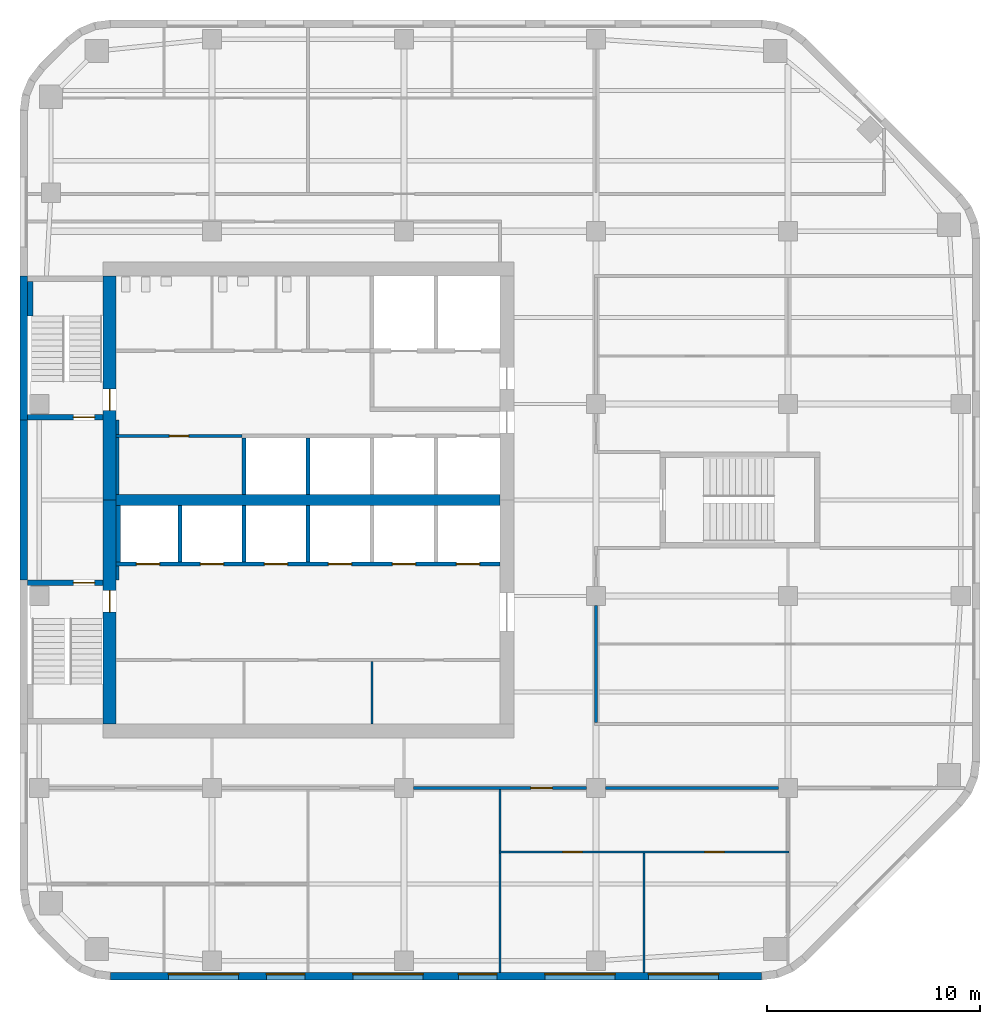
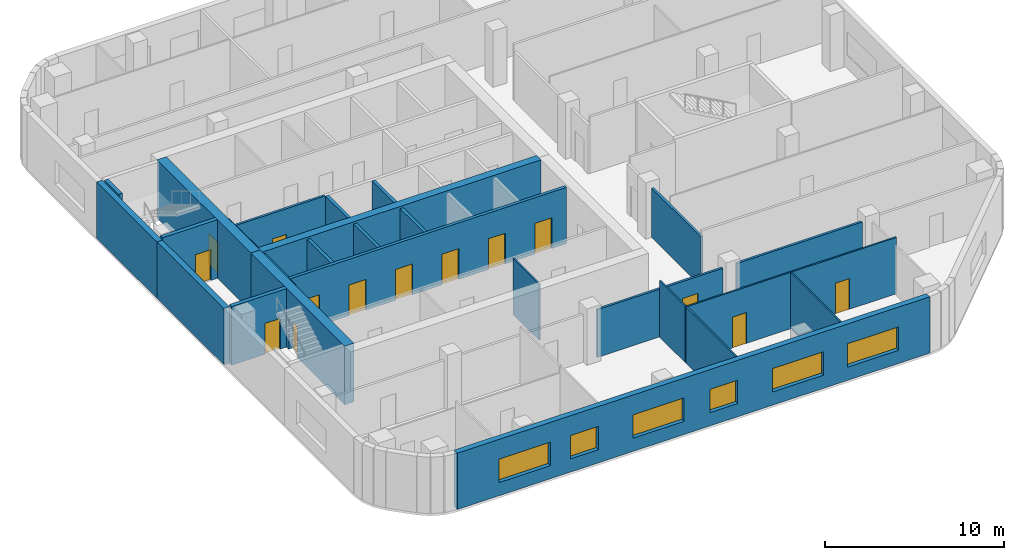
# One storey, part 3 of 8: 28 walls, 14 doors, 6 windows, 20 openings.
"""IFC4 building model written with IfcOpenShell, lengths in metres."""

from ifc_helpers import new_model, si_unit, direction, frame, frame_2d, origin, place, context, subcontext, project, spatial, rectangle, extrude, material, layer, layer_set, type_object, element, fill, save


model = new_model("IFC4")

# Units and contexts
model_context = context("Model", 3, precision=1e-05, world=origin(), true_north=direction((0.0, 1.0)))
body_context = subcontext(model_context, "Body", "Model", "MODEL_VIEW")
ifc_project = project(units=[si_unit("LENGTHUNIT", "METRE"), si_unit("AREAUNIT", "SQUARE_METRE"), si_unit("VOLUMEUNIT", "CUBIC_METRE"), si_unit("PLANEANGLEUNIT", "RADIAN"), si_unit("MASSUNIT", "GRAM", prefix="KILO")], contexts=[model_context])

# Site, building, storey
site_placement = place(None, origin())
site = spatial("IfcSite", under=ifc_project, at=site_placement, CompositionType="ELEMENT")
building_placement = place(site_placement, origin())
building = spatial("IfcBuilding", under=site, at=building_placement, Name="Cinnabar Reach Civic Tower", CompositionType="ELEMENT")
storey_placement = place(building_placement, frame((0.0, 0.0, 157.0)))
storey = spatial("IfcBuildingStorey", under=building, at=storey_placement, Name="L37", CompositionType="ELEMENT", Elevation=157.0)

# Wall, openings, windows
ifc_material_1 = material(Name="Facing brick with insulated backing", Category="masonry")
ifc_layer_1 = layer(ifc_material_1, 0.36)
ifc_layer_set_1 = layer_set([ifc_layer_1], Name="Brick pier and spandrel wall")
wall_type_1 = type_object("IfcWallType", Name="Brick pier and spandrel wall", PredefinedType="STANDARD", material=ifc_layer_set_1)
wall_1_placement = place(storey_placement, frame((4.2426, 9.18, 0.0), z_axis=(0.0, 0.0, 1.0), x_axis=(1.0, 0.0, 0.0)))
wall_1 = element("IfcWall", 1, at=wall_1_placement, inside=storey, type_object=wall_type_1, Name="Brick facade wall", PredefinedType="STANDARD", context=body_context, shape_type="SweptSolid", body=[
    extrude(rectangle(XDim=30.5148, YDim=0.36, at=frame_2d((15.2574, 0.0))), origin(), (0.0, 0.0, 1.0), 3.85),
])
opening_1_placement = place(wall_1_placement, frame((2.7074, 0.0, 0.9)))
opening_1 = element("IfcOpeningElement", 2, at=opening_1_placement, cuts=wall_1, Name="Opening W1761", PredefinedType="OPENING", context=body_context, shape_type="SweptSolid", body=[
    extrude(rectangle(XDim=3.3, YDim=1.6, at=frame_2d((1.65, 0.8))), frame((0.0, 0.19, 0.0), z_axis=(0.0, -1.0, 0.0), x_axis=(1.0, 0.0, 0.0)), (0.0, 0.0, 1.0), 0.38),
])
opening_2_placement = place(wall_1_placement, frame((7.3074, 0.0, 0.9)))
opening_2 = element("IfcOpeningElement", 3, at=opening_2_placement, cuts=wall_1, Name="Opening W1762", PredefinedType="OPENING", context=body_context, shape_type="SweptSolid", body=[
    extrude(rectangle(XDim=1.8, YDim=1.6, at=frame_2d((0.9, 0.8))), frame((0.0, 0.19, 0.0), z_axis=(0.0, -1.0, 0.0), x_axis=(1.0, 0.0, 0.0)), (0.0, 0.0, 1.0), 0.38),
])
opening_3_placement = place(wall_1_placement, frame((11.3574, 0.0, 0.9)))
opening_3 = element("IfcOpeningElement", 4, at=opening_3_placement, cuts=wall_1, Name="Opening W1763", PredefinedType="OPENING", context=body_context, shape_type="SweptSolid", body=[
    extrude(rectangle(XDim=3.3, YDim=1.6, at=frame_2d((1.65, 0.8))), frame((0.0, 0.19, 0.0), z_axis=(0.0, -1.0, 0.0), x_axis=(1.0, 0.0, 0.0)), (0.0, 0.0, 1.0), 0.38),
])
opening_4_placement = place(wall_1_placement, frame((16.3074, 0.0, 0.9)))
opening_4 = element("IfcOpeningElement", 5, at=opening_4_placement, cuts=wall_1, Name="Opening W1764", PredefinedType="OPENING", context=body_context, shape_type="SweptSolid", body=[
    extrude(rectangle(XDim=1.8, YDim=1.6, at=frame_2d((0.9, 0.8))), frame((0.0, 0.19, 0.0), z_axis=(0.0, -1.0, 0.0), x_axis=(1.0, 0.0, 0.0)), (0.0, 0.0, 1.0), 0.38),
])
opening_5_placement = place(wall_1_placement, frame((20.3574, 0.0, 0.9)))
opening_5 = element("IfcOpeningElement", 6, at=opening_5_placement, cuts=wall_1, Name="Opening W1765", PredefinedType="OPENING", context=body_context, shape_type="SweptSolid", body=[
    extrude(rectangle(XDim=3.3, YDim=1.6, at=frame_2d((1.65, 0.8))), frame((0.0, 0.19, 0.0), z_axis=(0.0, -1.0, 0.0), x_axis=(1.0, 0.0, 0.0)), (0.0, 0.0, 1.0), 0.38),
])
opening_6_placement = place(wall_1_placement, frame((25.2074, 0.0, 0.9)))
opening_6 = element("IfcOpeningElement", 7, at=opening_6_placement, cuts=wall_1, Name="Opening W1766", PredefinedType="OPENING", context=body_context, shape_type="SweptSolid", body=[
    extrude(rectangle(XDim=3.3, YDim=1.6, at=frame_2d((1.65, 0.8))), frame((0.0, 0.19, 0.0), z_axis=(0.0, -1.0, 0.0), x_axis=(1.0, 0.0, 0.0)), (0.0, 0.0, 1.0), 0.38),
])
ifc_material_2 = material(Name="Clear double glazing in aluminium frame", Category="aluminium")
window_type_1 = type_object("IfcWindowType", Name="Deep-set window A", PartitioningType="SINGLE_PANEL", PredefinedType="WINDOW", material=ifc_material_2)
window_1_placement = place(opening_1_placement, origin())
window_1 = element("IfcWindow", 8, at=window_1_placement, inside=storey, type_object=window_type_1, Name="Window south face", OverallHeight=1.6, OverallWidth=3.3, PartitioningType="SINGLE_PANEL", PredefinedType="WINDOW", context=body_context, shape_type="SweptSolid", body=[
    extrude(rectangle(XDim=3.3, YDim=1.6, at=frame_2d((1.65, 0.8))), frame((0.0, 0.13, 0.0), z_axis=(0.0, -1.0, 0.0), x_axis=(1.0, 0.0, 0.0)), (0.0, 0.0, 1.0), 0.06),
])
fill(opening_1, window_1)
window_2_placement = place(opening_3_placement, origin())
window_2 = element("IfcWindow", 9, at=window_2_placement, inside=storey, type_object=window_type_1, Name="Window south face", OverallHeight=1.6, OverallWidth=3.3, PartitioningType="SINGLE_PANEL", PredefinedType="WINDOW", context=body_context, shape_type="SweptSolid", body=[
    extrude(rectangle(XDim=3.3, YDim=1.6, at=frame_2d((1.65, 0.8))), frame((0.0, 0.13, 0.0), z_axis=(0.0, -1.0, 0.0), x_axis=(1.0, 0.0, 0.0)), (0.0, 0.0, 1.0), 0.06),
])
fill(opening_3, window_2)
window_3_placement = place(opening_5_placement, origin())
window_3 = element("IfcWindow", 10, at=window_3_placement, inside=storey, type_object=window_type_1, Name="Window south face", OverallHeight=1.6, OverallWidth=3.3, PartitioningType="SINGLE_PANEL", PredefinedType="WINDOW", context=body_context, shape_type="SweptSolid", body=[
    extrude(rectangle(XDim=3.3, YDim=1.6, at=frame_2d((1.65, 0.8))), frame((0.0, 0.13, 0.0), z_axis=(0.0, -1.0, 0.0), x_axis=(1.0, 0.0, 0.0)), (0.0, 0.0, 1.0), 0.06),
])
fill(opening_5, window_3)
window_4_placement = place(opening_6_placement, origin())
window_4 = element("IfcWindow", 11, at=window_4_placement, inside=storey, type_object=window_type_1, Name="Window south face", OverallHeight=1.6, OverallWidth=3.3, PartitioningType="SINGLE_PANEL", PredefinedType="WINDOW", context=body_context, shape_type="SweptSolid", body=[
    extrude(rectangle(XDim=3.3, YDim=1.6, at=frame_2d((1.65, 0.8))), frame((0.0, 0.13, 0.0), z_axis=(0.0, -1.0, 0.0), x_axis=(1.0, 0.0, 0.0)), (0.0, 0.0, 1.0), 0.06),
])
fill(opening_6, window_4)
window_type_2 = type_object("IfcWindowType", Name="Deep-set window D", PartitioningType="SINGLE_PANEL", PredefinedType="WINDOW", material=ifc_material_2)
window_5_placement = place(opening_2_placement, origin())
window_5 = element("IfcWindow", 12, at=window_5_placement, inside=storey, type_object=window_type_2, Name="Window south face", OverallHeight=1.6, OverallWidth=1.8, PartitioningType="SINGLE_PANEL", PredefinedType="WINDOW", context=body_context, shape_type="SweptSolid", body=[
    extrude(rectangle(XDim=1.8, YDim=1.6, at=frame_2d((0.9, 0.8))), frame((0.0, 0.13, 0.0), z_axis=(0.0, -1.0, 0.0), x_axis=(1.0, 0.0, 0.0)), (0.0, 0.0, 1.0), 0.06),
])
fill(opening_2, window_5)
window_6_placement = place(opening_4_placement, origin())
window_6 = element("IfcWindow", 13, at=window_6_placement, inside=storey, type_object=window_type_2, Name="Window south face", OverallHeight=1.6, OverallWidth=1.8, PartitioningType="SINGLE_PANEL", PredefinedType="WINDOW", context=body_context, shape_type="SweptSolid", body=[
    extrude(rectangle(XDim=1.8, YDim=1.6, at=frame_2d((0.9, 0.8))), frame((0.0, 0.13, 0.0), z_axis=(0.0, -1.0, 0.0), x_axis=(1.0, 0.0, 0.0)), (0.0, 0.0, 1.0), 0.06),
])
fill(opening_4, window_6)

# Walls
wall_2_placement = place(storey_placement, frame((0.18, 42.0, 0.0), z_axis=(0.0, 0.0, 1.0), x_axis=(0.0, -1.0, 0.0)))
element("IfcWall", 14, at=wall_2_placement, inside=storey, type_object=wall_type_1, Name="Brick facade wall", PredefinedType="STANDARD", context=body_context, shape_type="SweptSolid", body=[
    extrude(rectangle(XDim=6.75, YDim=0.36, at=frame_2d((3.375, 0.0))), origin(), (0.0, 0.0, 1.0), 3.85),
])
wall_3_placement = place(storey_placement, frame((0.18, 35.25, 0.0), z_axis=(0.0, 0.0, 1.0), x_axis=(0.0, -1.0, 0.0)))
element("IfcWall", 15, at=wall_3_placement, inside=storey, type_object=wall_type_1, Name="Brick facade wall", PredefinedType="STANDARD", context=body_context, shape_type="SweptSolid", body=[
    extrude(rectangle(XDim=7.5, YDim=0.36, at=frame_2d((3.75, 0.0))), origin(), (0.0, 0.0, 1.0), 3.85),
])
ifc_material_3 = material(Name="Concrete C60", Category="concrete")
ifc_layer_2 = layer(ifc_material_3, 0.5)
ifc_layer_set_2 = layer_set([ifc_layer_2], Name="Core wall 500 EI 180")
wall_type_2 = type_object("IfcWallType", Name="Core wall 500 EI 180", PredefinedType="SOLIDWALL", material=ifc_layer_set_2)
wall_4_placement = place(storey_placement, frame((4.5, 31.5, 0.0), z_axis=(0.0, 0.0, 1.0), x_axis=(1.0, 0.0, 0.0)))
element("IfcWall", 16, at=wall_4_placement, inside=storey, type_object=wall_type_2, Name="Core spine wall T1 L37", PredefinedType="SOLIDWALL", context=body_context, shape_type="SweptSolid", body=[
    extrude(rectangle(XDim=18.0, YDim=0.5, at=frame_2d((9.0, 0.0))), origin(), (0.0, 0.0, 1.0), 4.0),
])

# Wall, opening, door
ifc_material_4 = material(Name="Concrete C70", Category="concrete")
ifc_layer_3 = layer(ifc_material_4, 0.6)
ifc_layer_set_3 = layer_set([ifc_layer_3], Name="Core wall 600 EI 180")
wall_type_3 = type_object("IfcWallType", Name="Core wall 600 EI 180", PredefinedType="SOLIDWALL", material=ifc_layer_set_3)
wall_5_placement = place(storey_placement, frame((4.2, 42.0, 0.0), z_axis=(0.0, 0.0, 1.0), x_axis=(0.0, -1.0, 0.0)))
wall_5 = element("IfcWall", 17, at=wall_5_placement, inside=storey, type_object=wall_type_3, Name="Core wall T1 L37 W", PredefinedType="SOLIDWALL", context=body_context, shape_type="SweptSolid", body=[
    extrude(rectangle(XDim=10.5, YDim=0.6, at=frame_2d((5.25, 0.0))), origin(), (0.0, 0.0, 1.0), 4.0),
])
opening_7_placement = place(wall_5_placement, frame((5.3, 0.0, 0.0)))
opening_7 = element("IfcOpeningElement", 18, at=opening_7_placement, cuts=wall_5, Name="Opening D4498", PredefinedType="OPENING", context=body_context, shape_type="SweptSolid", body=[
    extrude(rectangle(XDim=1.0, YDim=2.1, at=frame_2d((0.5, 1.05))), frame((0.0, 0.31, 0.0), z_axis=(0.0, -1.0, 0.0), x_axis=(1.0, 0.0, 0.0)), (0.0, 0.0, 1.0), 0.62),
])
ifc_material_5 = material(Name="Timber door leaf in steel frame", Category="steel")
door_type_1 = type_object("IfcDoorType", Name="Stair door 1000 x 2100 T1", OperationType="SINGLE_SWING_LEFT", PredefinedType="DOOR", material=ifc_material_5)
door_1_placement = place(opening_7_placement, frame((1.0, 0.0, 0.0), z_axis=(0.0, 0.0, 1.0), x_axis=(-1.0, 0.0, 0.0)))
door_1 = element("IfcDoor", 19, at=door_1_placement, inside=storey, type_object=door_type_1, Name="Door D4498", OperationType="SINGLE_SWING_LEFT", OverallHeight=2.1, OverallWidth=1.0, PredefinedType="DOOR", context=body_context, shape_type="SweptSolid", body=[
    extrude(rectangle(XDim=1.0, YDim=2.1, at=frame_2d((0.5, 1.05))), frame((0.0, 0.025, 0.0), z_axis=(0.0, -1.0, 0.0), x_axis=(1.0, 0.0, 0.0)), (0.0, 0.0, 1.0), 0.05),
])
fill(opening_7, door_1)

wall_6_placement = place(storey_placement, frame((4.2, 31.5, 0.0), z_axis=(0.0, 0.0, 1.0), x_axis=(0.0, -1.0, 0.0)))
wall_6 = element("IfcWall", 20, at=wall_6_placement, inside=storey, type_object=wall_type_3, Name="Core wall T1 L37 W2", PredefinedType="SOLIDWALL", context=body_context, shape_type="SweptSolid", body=[
    extrude(rectangle(XDim=10.5, YDim=0.6, at=frame_2d((5.25, 0.0))), origin(), (0.0, 0.0, 1.0), 4.0),
])
opening_8_placement = place(wall_6_placement, frame((4.25, 0.0, 0.0)))
opening_8 = element("IfcOpeningElement", 21, at=opening_8_placement, cuts=wall_6, Name="Opening D4496", PredefinedType="OPENING", context=body_context, shape_type="SweptSolid", body=[
    extrude(rectangle(XDim=1.0, YDim=2.1, at=frame_2d((0.5, 1.05))), frame((0.0, 0.31, 0.0), z_axis=(0.0, -1.0, 0.0), x_axis=(1.0, 0.0, 0.0)), (0.0, 0.0, 1.0), 0.62),
])
door_2_placement = place(opening_8_placement, frame((1.0, 0.0, 0.0), z_axis=(0.0, 0.0, 1.0), x_axis=(-1.0, 0.0, 0.0)))
door_2 = element("IfcDoor", 22, at=door_2_placement, inside=storey, type_object=door_type_1, Name="Door D4496", OperationType="SINGLE_SWING_RIGHT", OverallHeight=2.1, OverallWidth=1.0, PredefinedType="DOOR", context=body_context, shape_type="SweptSolid", body=[
    extrude(rectangle(XDim=1.0, YDim=2.1, at=frame_2d((0.5, 1.05))), frame((0.0, 0.025, 0.0), z_axis=(0.0, -1.0, 0.0), x_axis=(1.0, 0.0, 0.0)), (0.0, 0.0, 1.0), 0.05),
])
fill(opening_8, door_2)

ifc_material_6 = material(Name="Gypsum board on steel studs, double layer", Category="steel")
ifc_layer_4 = layer(ifc_material_6, 0.15)
ifc_layer_set_4 = layer_set([ifc_layer_4], Name="Corridor wall 150 T1")
wall_type_4 = type_object("IfcWallType", Name="Corridor wall 150 T1", PredefinedType="PARTITIONING", material=ifc_layer_set_4)
wall_7_placement = place(storey_placement, frame((18.45, 18.0, 0.0), z_axis=(0.0, 0.0, 1.0), x_axis=(1.0, 0.0, 0.0)))
wall_7 = element("IfcWall", 23, at=wall_7_placement, inside=storey, type_object=wall_type_4, Name="Corridor wall 20", PredefinedType="PARTITIONING", context=body_context, shape_type="SweptSolid", body=[
    extrude(rectangle(XDim=8.1, YDim=0.15, at=frame_2d((4.05, 0.0))), origin(), (0.0, 0.0, 1.0), 3.262),
])
opening_9_placement = place(wall_7_placement, frame((5.5, 0.0, 0.0)))
opening_9 = element("IfcOpeningElement", 24, at=opening_9_placement, cuts=wall_7, Name="Opening D4531", PredefinedType="OPENING", context=body_context, shape_type="SweptSolid", body=[
    extrude(rectangle(XDim=1.0, YDim=2.1, at=frame_2d((0.5, 1.05))), frame((0.0, 0.085, 0.0), z_axis=(0.0, -1.0, 0.0), x_axis=(1.0, 0.0, 0.0)), (0.0, 0.0, 1.0), 0.17),
])
door_type_2 = type_object("IfcDoorType", Name="Tenancy entrance door 1000 x 2100 T1", OperationType="SINGLE_SWING_LEFT", PredefinedType="DOOR", material=ifc_material_5)
door_3_placement = place(opening_9_placement, frame((1.0, 0.0, 0.0), z_axis=(0.0, 0.0, 1.0), x_axis=(-1.0, 0.0, 0.0)))
door_3 = element("IfcDoor", 25, at=door_3_placement, inside=storey, type_object=door_type_2, Name="Door D4531", OperationType="SINGLE_SWING_RIGHT", OverallHeight=2.1, OverallWidth=1.0, PredefinedType="DOOR", context=body_context, shape_type="SweptSolid", body=[
    extrude(rectangle(XDim=1.0, YDim=2.1, at=frame_2d((0.5, 1.05))), frame((0.0, 0.025, 0.0), z_axis=(0.0, -1.0, 0.0), x_axis=(1.0, 0.0, 0.0)), (0.0, 0.0, 1.0), 0.05),
])
fill(opening_9, door_3)

# Walls
wall_8_placement = place(storey_placement, frame((27.45, 18.0, 0.0), z_axis=(0.0, 0.0, 1.0), x_axis=(1.0, 0.0, 0.0)))
element("IfcWall", 26, at=wall_8_placement, inside=storey, type_object=wall_type_4, Name="Corridor wall 21", PredefinedType="PARTITIONING", context=body_context, shape_type="SweptSolid", body=[
    extrude(rectangle(XDim=8.1, YDim=0.15, at=frame_2d((4.05, 0.0))), origin(), (0.0, 0.0, 1.0), 3.262),
])
wall_9_placement = place(storey_placement, frame((27.0, 21.075, 0.0), z_axis=(0.0, 0.0, 1.0), x_axis=(0.0, 1.0, 0.0)))
element("IfcWall", 27, at=wall_9_placement, inside=storey, type_object=wall_type_4, Name="Corridor wall 30", PredefinedType="PARTITIONING", context=body_context, shape_type="SweptSolid", body=[
    extrude(rectangle(XDim=5.475, YDim=0.15, at=frame_2d((2.7375, 0.0))), origin(), (0.0, 0.0, 1.0), 3.362),
])

# Wall, opening, door
wall_10_placement = place(storey_placement, frame((4.5, 34.5, 0.0), z_axis=(0.0, 0.0, 1.0), x_axis=(1.0, 0.0, 0.0)))
wall_10 = element("IfcWall", 28, at=wall_10_placement, inside=storey, type_object=wall_type_4, Name="Corridor wall 34", PredefinedType="PARTITIONING", context=body_context, shape_type="SweptSolid", body=[
    extrude(rectangle(XDim=5.9, YDim=0.15, at=frame_2d((2.95, 0.0))), origin(), (0.0, 0.0, 1.0), 3.85),
])
opening_10_placement = place(wall_10_placement, frame((2.5, 0.0, 0.0)))
opening_10 = element("IfcOpeningElement", 29, at=opening_10_placement, cuts=wall_10, Name="Opening D4517", PredefinedType="OPENING", context=body_context, shape_type="SweptSolid", body=[
    extrude(rectangle(XDim=0.9, YDim=2.1, at=frame_2d((0.45, 1.05))), frame((0.0, 0.085, 0.0), z_axis=(0.0, -1.0, 0.0), x_axis=(1.0, 0.0, 0.0)), (0.0, 0.0, 1.0), 0.17),
])
door_type_3 = type_object("IfcDoorType", Name="Single swing door 900 x 2100 corridor T1", OperationType="SINGLE_SWING_LEFT", PredefinedType="DOOR", material=ifc_material_5)
door_4_placement = place(opening_10_placement, frame((0.9, 0.0, 0.0), z_axis=(0.0, 0.0, 1.0), x_axis=(-1.0, 0.0, 0.0)))
door_4 = element("IfcDoor", 30, at=door_4_placement, inside=storey, type_object=door_type_3, Name="Door D4517", OperationType="SINGLE_SWING_RIGHT", OverallHeight=2.1, OverallWidth=0.9, PredefinedType="DOOR", context=body_context, shape_type="SweptSolid", body=[
    extrude(rectangle(XDim=0.9, YDim=2.1, at=frame_2d((0.45, 1.05))), frame((0.0, 0.025, 0.0), z_axis=(0.0, -1.0, 0.0), x_axis=(1.0, 0.0, 0.0)), (0.0, 0.0, 1.0), 0.05),
])
fill(opening_10, door_4)

# Walls
wall_11_placement = place(storey_placement, frame((4.575, 34.575, 0.0), z_axis=(0.0, 0.0, 1.0), x_axis=(0.0, 1.0, 0.0)))
element("IfcWall", 31, at=wall_11_placement, inside=storey, type_object=wall_type_4, Name="Corridor wall 35", PredefinedType="PARTITIONING", context=body_context, shape_type="SweptSolid", body=[
    extrude(rectangle(XDim=0.675, YDim=0.15, at=frame_2d((0.3375, 0.0))), origin(), (0.0, 0.0, 1.0), 3.85),
])
wall_12_placement = place(storey_placement, frame((4.575, 31.75, 0.0), z_axis=(0.0, 0.0, 1.0), x_axis=(0.0, 1.0, 0.0)))
element("IfcWall", 32, at=wall_12_placement, inside=storey, type_object=wall_type_4, Name="Corridor wall 36", PredefinedType="PARTITIONING", context=body_context, shape_type="SweptSolid", body=[
    extrude(rectangle(XDim=2.675, YDim=0.15, at=frame_2d((1.3375, 0.0))), origin(), (0.0, 0.0, 1.0), 3.85),
])
wall_13_placement = place(storey_placement, frame((4.575, 27.75, 0.0), z_axis=(0.0, 0.0, 1.0), x_axis=(0.0, 1.0, 0.0)))
element("IfcWall", 33, at=wall_13_placement, inside=storey, type_object=wall_type_4, Name="Corridor wall 41", PredefinedType="PARTITIONING", context=body_context, shape_type="SweptSolid", body=[
    extrude(rectangle(XDim=0.65, YDim=0.15, at=frame_2d((0.325, 0.0))), origin(), (0.0, 0.0, 1.0), 3.85),
])

# Wall, openings, doors
ifc_material_7 = material(Name="Blockwork", Category="masonry")
ifc_layer_5 = layer(ifc_material_7, 0.2)
ifc_layer_set_5 = layer_set([ifc_layer_5], Name="Lift shaft wall 200 T1")
wall_type_5 = type_object("IfcWallType", Name="Lift shaft wall 200 T1", PredefinedType="PARTITIONING", material=ifc_layer_set_5)
wall_14_placement = place(storey_placement, frame((4.5, 28.5, 0.0), z_axis=(0.0, 0.0, 1.0), x_axis=(1.0, 0.0, 0.0)))
wall_14 = element("IfcWall", 34, at=wall_14_placement, inside=storey, type_object=wall_type_5, Name="Lift shaft wall 4", PredefinedType="PARTITIONING", context=body_context, shape_type="SweptSolid", body=[
    extrude(rectangle(XDim=18.0, YDim=0.2, at=frame_2d((9.0, 0.0))), origin(), (0.0, 0.0, 1.0), 3.85),
])
opening_11_placement = place(wall_14_placement, frame((0.95, 0.0, 0.0)))
opening_11 = element("IfcOpeningElement", 35, at=opening_11_placement, cuts=wall_14, Name="Opening D4500", PredefinedType="OPENING", context=body_context, shape_type="SweptSolid", body=[
    extrude(rectangle(XDim=1.1, YDim=2.1, at=frame_2d((0.55, 1.05))), frame((0.0, 0.11, 0.0), z_axis=(0.0, -1.0, 0.0), x_axis=(1.0, 0.0, 0.0)), (0.0, 0.0, 1.0), 0.22),
])
opening_12_placement = place(wall_14_placement, frame((3.95, 0.0, 0.0)))
opening_12 = element("IfcOpeningElement", 36, at=opening_12_placement, cuts=wall_14, Name="Opening D4501", PredefinedType="OPENING", context=body_context, shape_type="SweptSolid", body=[
    extrude(rectangle(XDim=1.1, YDim=2.1, at=frame_2d((0.55, 1.05))), frame((0.0, 0.11, 0.0), z_axis=(0.0, -1.0, 0.0), x_axis=(1.0, 0.0, 0.0)), (0.0, 0.0, 1.0), 0.22),
])
opening_13_placement = place(wall_14_placement, frame((6.95, 0.0, 0.0)))
opening_13 = element("IfcOpeningElement", 37, at=opening_13_placement, cuts=wall_14, Name="Opening D4502", PredefinedType="OPENING", context=body_context, shape_type="SweptSolid", body=[
    extrude(rectangle(XDim=1.1, YDim=2.1, at=frame_2d((0.55, 1.05))), frame((0.0, 0.11, 0.0), z_axis=(0.0, -1.0, 0.0), x_axis=(1.0, 0.0, 0.0)), (0.0, 0.0, 1.0), 0.22),
])
opening_14_placement = place(wall_14_placement, frame((9.95, 0.0, 0.0)))
opening_14 = element("IfcOpeningElement", 38, at=opening_14_placement, cuts=wall_14, Name="Opening D4503", PredefinedType="OPENING", context=body_context, shape_type="SweptSolid", body=[
    extrude(rectangle(XDim=1.1, YDim=2.1, at=frame_2d((0.55, 1.05))), frame((0.0, 0.11, 0.0), z_axis=(0.0, -1.0, 0.0), x_axis=(1.0, 0.0, 0.0)), (0.0, 0.0, 1.0), 0.22),
])
opening_15_placement = place(wall_14_placement, frame((12.95, 0.0, 0.0)))
opening_15 = element("IfcOpeningElement", 39, at=opening_15_placement, cuts=wall_14, Name="Opening D4504", PredefinedType="OPENING", context=body_context, shape_type="SweptSolid", body=[
    extrude(rectangle(XDim=1.1, YDim=2.1, at=frame_2d((0.55, 1.05))), frame((0.0, 0.11, 0.0), z_axis=(0.0, -1.0, 0.0), x_axis=(1.0, 0.0, 0.0)), (0.0, 0.0, 1.0), 0.22),
])
opening_16_placement = place(wall_14_placement, frame((15.95, 0.0, 0.0)))
opening_16 = element("IfcOpeningElement", 40, at=opening_16_placement, cuts=wall_14, Name="Opening D4505", PredefinedType="OPENING", context=body_context, shape_type="SweptSolid", body=[
    extrude(rectangle(XDim=1.1, YDim=2.1, at=frame_2d((0.55, 1.05))), frame((0.0, 0.11, 0.0), z_axis=(0.0, -1.0, 0.0), x_axis=(1.0, 0.0, 0.0)), (0.0, 0.0, 1.0), 0.22),
])
ifc_material_8 = material(Name="Stainless steel sliding door", Category="steel")
door_type_4 = type_object("IfcDoorType", Name="Lift landing door 1100 x 2100 T1", OperationType="SLIDING_TO_LEFT", PredefinedType="DOOR", material=ifc_material_8)
door_5_placement = place(opening_11_placement, origin())
door_5 = element("IfcDoor", 41, at=door_5_placement, inside=storey, type_object=door_type_4, Name="Lift landing door HR1 L37", OperationType="SLIDING_TO_LEFT", OverallHeight=2.1, OverallWidth=1.1, PredefinedType="DOOR", context=body_context, shape_type="SweptSolid", body=[
    extrude(rectangle(XDim=1.1, YDim=2.1, at=frame_2d((0.55, 1.05))), frame((0.0, 0.025, 0.0), z_axis=(0.0, -1.0, 0.0), x_axis=(1.0, 0.0, 0.0)), (0.0, 0.0, 1.0), 0.05),
])
fill(opening_11, door_5)
door_6_placement = place(opening_12_placement, origin())
door_6 = element("IfcDoor", 42, at=door_6_placement, inside=storey, type_object=door_type_4, Name="Lift landing door HR2 L37", OperationType="SLIDING_TO_LEFT", OverallHeight=2.1, OverallWidth=1.1, PredefinedType="DOOR", context=body_context, shape_type="SweptSolid", body=[
    extrude(rectangle(XDim=1.1, YDim=2.1, at=frame_2d((0.55, 1.05))), frame((0.0, 0.025, 0.0), z_axis=(0.0, -1.0, 0.0), x_axis=(1.0, 0.0, 0.0)), (0.0, 0.0, 1.0), 0.05),
])
fill(opening_12, door_6)
door_7_placement = place(opening_13_placement, origin())
door_7 = element("IfcDoor", 43, at=door_7_placement, inside=storey, type_object=door_type_4, Name="Lift landing door HR3 L37", OperationType="SLIDING_TO_LEFT", OverallHeight=2.1, OverallWidth=1.1, PredefinedType="DOOR", context=body_context, shape_type="SweptSolid", body=[
    extrude(rectangle(XDim=1.1, YDim=2.1, at=frame_2d((0.55, 1.05))), frame((0.0, 0.025, 0.0), z_axis=(0.0, -1.0, 0.0), x_axis=(1.0, 0.0, 0.0)), (0.0, 0.0, 1.0), 0.05),
])
fill(opening_13, door_7)
door_8_placement = place(opening_14_placement, origin())
door_8 = element("IfcDoor", 44, at=door_8_placement, inside=storey, type_object=door_type_4, Name="Lift landing door HR4 L37", OperationType="SLIDING_TO_LEFT", OverallHeight=2.1, OverallWidth=1.1, PredefinedType="DOOR", context=body_context, shape_type="SweptSolid", body=[
    extrude(rectangle(XDim=1.1, YDim=2.1, at=frame_2d((0.55, 1.05))), frame((0.0, 0.025, 0.0), z_axis=(0.0, -1.0, 0.0), x_axis=(1.0, 0.0, 0.0)), (0.0, 0.0, 1.0), 0.05),
])
fill(opening_14, door_8)
door_9_placement = place(opening_15_placement, origin())
door_9 = element("IfcDoor", 45, at=door_9_placement, inside=storey, type_object=door_type_4, Name="Lift landing door HR5 L37", OperationType="SLIDING_TO_LEFT", OverallHeight=2.1, OverallWidth=1.1, PredefinedType="DOOR", context=body_context, shape_type="SweptSolid", body=[
    extrude(rectangle(XDim=1.1, YDim=2.1, at=frame_2d((0.55, 1.05))), frame((0.0, 0.025, 0.0), z_axis=(0.0, -1.0, 0.0), x_axis=(1.0, 0.0, 0.0)), (0.0, 0.0, 1.0), 0.05),
])
fill(opening_15, door_9)
door_10_placement = place(opening_16_placement, origin())
door_10 = element("IfcDoor", 46, at=door_10_placement, inside=storey, type_object=door_type_4, Name="Lift landing door HR6 L37", OperationType="SLIDING_TO_LEFT", OverallHeight=2.1, OverallWidth=1.1, PredefinedType="DOOR", context=body_context, shape_type="SweptSolid", body=[
    extrude(rectangle(XDim=1.1, YDim=2.1, at=frame_2d((0.55, 1.05))), frame((0.0, 0.025, 0.0), z_axis=(0.0, -1.0, 0.0), x_axis=(1.0, 0.0, 0.0)), (0.0, 0.0, 1.0), 0.05),
])
fill(opening_16, door_10)

# Walls
for number, where, z_axis, x_axis, name in (
    (47, (10.5, 28.6, 0.0), (0.0, 0.0, 1.0), (0.0, 1.0, 0.0), "Lift shaft wall 6"),
    (48, (10.5, 31.75, 0.0), (0.0, 0.0, 1.0), (0.0, 1.0, 0.0), "Lift shaft wall 7"),
    (49, (13.5, 28.6, 0.0), (0.0, 0.0, 1.0), (0.0, 1.0, 0.0), "Lift shaft wall 8"),
    (50, (13.5, 31.75, 0.0), (0.0, 0.0, 1.0), (0.0, 1.0, 0.0), "Lift shaft wall 9"),
    (51, (4.6, 28.6, 0.0), (0.0, 0.0, 1.0), (0.0, 1.0, 0.0), "Lift shaft wall 16"),
    (52, (7.5, 28.6, 0.0), (0.0, 0.0, 1.0), (0.0, 1.0, 0.0), "Lift shaft wall 17"),
):
    element("IfcWall", number, at=place(storey_placement, frame(where, z_axis=z_axis, x_axis=x_axis)), inside=storey, type_object=wall_type_5, Name=name, PredefinedType="PARTITIONING", context=body_context, shape_type="SweptSolid", body=[
        extrude(rectangle(XDim=2.65, YDim=0.2, at=frame_2d((1.325, 0.0))), origin(), (0.0, 0.0, 1.0), 3.85),
    ])

# Wall, openings, doors
ifc_material_9 = material(Name="Gypsum board on steel studs", Category="steel")
ifc_layer_6 = layer(ifc_material_9, 0.1)
ifc_layer_set_6 = layer_set([ifc_layer_6], Name="Partition wall 100 T1")
wall_type_6 = type_object("IfcWallType", Name="Partition wall 100 T1", PredefinedType="PARTITIONING", material=ifc_layer_set_6)
wall_15_placement = place(storey_placement, frame((22.45, 15.0, 0.0), z_axis=(0.0, 0.0, 1.0), x_axis=(1.0, 0.0, 0.0)))
wall_15 = element("IfcWall", 53, at=wall_15_placement, inside=storey, type_object=wall_type_6, Name="Partition wall 49", PredefinedType="PARTITIONING", context=body_context, shape_type="SweptSolid", body=[
    extrude(rectangle(XDim=13.6, YDim=0.1, at=frame_2d((6.8, 0.0))), origin(), (0.0, 0.0, 1.0), 3.85),
])
opening_17_placement = place(wall_15_placement, frame((3.0, 0.0, 0.0)))
opening_17 = element("IfcOpeningElement", 54, at=opening_17_placement, cuts=wall_15, Name="Opening D4532", PredefinedType="OPENING", context=body_context, shape_type="SweptSolid", body=[
    extrude(rectangle(XDim=0.9, YDim=2.1, at=frame_2d((0.45, 1.05))), frame((0.0, 0.06, 0.0), z_axis=(0.0, -1.0, 0.0), x_axis=(1.0, 0.0, 0.0)), (0.0, 0.0, 1.0), 0.12),
])
opening_18_placement = place(wall_15_placement, frame((9.65, 0.0, 0.0)))
opening_18 = element("IfcOpeningElement", 55, at=opening_18_placement, cuts=wall_15, Name="Opening D4533", PredefinedType="OPENING", context=body_context, shape_type="SweptSolid", body=[
    extrude(rectangle(XDim=0.9, YDim=2.1, at=frame_2d((0.45, 1.05))), frame((0.0, 0.06, 0.0), z_axis=(0.0, -1.0, 0.0), x_axis=(1.0, 0.0, 0.0)), (0.0, 0.0, 1.0), 0.12),
])
door_type_5 = type_object("IfcDoorType", Name="Single swing door 900 x 2100 T1", OperationType="SINGLE_SWING_LEFT", PredefinedType="DOOR", material=ifc_material_5)
door_11_placement = place(opening_17_placement, frame((0.9, 0.0, 0.0), z_axis=(0.0, 0.0, 1.0), x_axis=(-1.0, 0.0, 0.0)))
door_11 = element("IfcDoor", 56, at=door_11_placement, inside=storey, type_object=door_type_5, Name="Door D4532", OperationType="SINGLE_SWING_LEFT", OverallHeight=2.1, OverallWidth=0.9, PredefinedType="DOOR", context=body_context, shape_type="SweptSolid", body=[
    extrude(rectangle(XDim=0.9, YDim=2.1, at=frame_2d((0.45, 1.05))), frame((0.0, 0.025, 0.0), z_axis=(0.0, -1.0, 0.0), x_axis=(1.0, 0.0, 0.0)), (0.0, 0.0, 1.0), 0.05),
])
fill(opening_17, door_11)
door_12_placement = place(opening_18_placement, frame((0.9, 0.0, 0.0), z_axis=(0.0, 0.0, 1.0), x_axis=(-1.0, 0.0, 0.0)))
door_12 = element("IfcDoor", 57, at=door_12_placement, inside=storey, type_object=door_type_5, Name="Door D4533", OperationType="SINGLE_SWING_LEFT", OverallHeight=2.1, OverallWidth=0.9, PredefinedType="DOOR", context=body_context, shape_type="SweptSolid", body=[
    extrude(rectangle(XDim=0.9, YDim=2.1, at=frame_2d((0.45, 1.05))), frame((0.0, 0.025, 0.0), z_axis=(0.0, -1.0, 0.0), x_axis=(1.0, 0.0, 0.0)), (0.0, 0.0, 1.0), 0.05),
])
fill(opening_18, door_12)

# Walls
wall_16_placement = place(storey_placement, frame((22.5, 15.05, 0.0), z_axis=(0.0, 0.0, 1.0), x_axis=(0.0, 1.0, 0.0)))
element("IfcWall", 58, at=wall_16_placement, inside=storey, type_object=wall_type_6, Name="Partition wall 53", PredefinedType="PARTITIONING", context=body_context, shape_type="SweptSolid", body=[
    extrude(rectangle(XDim=2.875, YDim=0.1, at=frame_2d((1.4375, 0.0))), origin(), (0.0, 0.0, 1.0), 3.85),
])
for number, where, z_axis, x_axis, name in (
    (59, (22.5, 9.36, 0.0), (0.0, 0.0, 1.0), (0.0, 1.0, 0.0), "Partition wall 54"),
    (60, (29.25, 9.36, 0.0), (0.0, 0.0, 1.0), (0.0, 1.0, 0.0), "Partition wall 59"),
):
    element("IfcWall", number, at=place(storey_placement, frame(where, z_axis=z_axis, x_axis=x_axis)), inside=storey, type_object=wall_type_6, Name=name, PredefinedType="PARTITIONING", context=body_context, shape_type="SweptSolid", body=[
        extrude(rectangle(XDim=5.59, YDim=0.1, at=frame_2d((2.795, 0.0))), origin(), (0.0, 0.0, 1.0), 3.85),
    ])
wall_17_placement = place(storey_placement, frame((16.5, 21.0, 0.0), z_axis=(0.0, 0.0, 1.0), x_axis=(0.0, 1.0, 0.0)))
element("IfcWall", 61, at=wall_17_placement, inside=storey, type_object=wall_type_6, Name="Partition wall 67", PredefinedType="PARTITIONING", context=body_context, shape_type="SweptSolid", body=[
    extrude(rectangle(XDim=2.925, YDim=0.1, at=frame_2d((1.4625, 0.0))), origin(), (0.0, 0.0, 1.0), 3.85),
])

# Wall, opening, door
ifc_layer_7 = layer(ifc_material_3, 0.25)
ifc_layer_set_7 = layer_set([ifc_layer_7], Name="Stair shaft wall 250 EI 120")
wall_type_7 = type_object("IfcWallType", Name="Stair shaft wall 250 EI 120", PredefinedType="SOLIDWALL", material=ifc_layer_set_7)
wall_18_placement = place(storey_placement, frame((3.9, 27.625, 0.0), z_axis=(0.0, 0.0, 1.0), x_axis=(-1.0, 0.0, 0.0)))
wall_18 = element("IfcWall", 62, at=wall_18_placement, inside=storey, type_object=wall_type_7, Name="Stair shaft wall T1-S1 L37", PredefinedType="SOLIDWALL", context=body_context, shape_type="SweptSolid", body=[
    extrude(rectangle(XDim=3.54, YDim=0.25, at=frame_2d((1.77, 0.0))), origin(), (0.0, 0.0, 1.0), 4.0),
])
opening_19_placement = place(wall_18_placement, frame((0.4, 0.0, 0.0)))
opening_19 = element("IfcOpeningElement", 63, at=opening_19_placement, cuts=wall_18, Name="Opening D4497", PredefinedType="OPENING", context=body_context, shape_type="SweptSolid", body=[
    extrude(rectangle(XDim=1.0, YDim=2.1, at=frame_2d((0.5, 1.05))), frame((0.0, 0.135, 0.0), z_axis=(0.0, -1.0, 0.0), x_axis=(1.0, 0.0, 0.0)), (0.0, 0.0, 1.0), 0.27),
])
door_13_placement = place(opening_19_placement, origin())
door_13 = element("IfcDoor", 64, at=door_13_placement, inside=storey, type_object=door_type_1, Name="Door D4497", OperationType="SINGLE_SWING_LEFT", OverallHeight=2.1, OverallWidth=1.0, PredefinedType="DOOR", context=body_context, shape_type="SweptSolid", body=[
    extrude(rectangle(XDim=1.0, YDim=2.1, at=frame_2d((0.5, 1.05))), frame((0.0, 0.025, 0.0), z_axis=(0.0, -1.0, 0.0), x_axis=(1.0, 0.0, 0.0)), (0.0, 0.0, 1.0), 0.05),
])
fill(opening_19, door_13)

wall_19_placement = place(storey_placement, frame((0.36, 35.375, 0.0), z_axis=(0.0, 0.0, 1.0), x_axis=(1.0, 0.0, 0.0)))
wall_19 = element("IfcWall", 65, at=wall_19_placement, inside=storey, type_object=wall_type_7, Name="Stair shaft wall T1-S2 L37", PredefinedType="SOLIDWALL", context=body_context, shape_type="SweptSolid", body=[
    extrude(rectangle(XDim=3.54, YDim=0.25, at=frame_2d((1.77, 0.0))), origin(), (0.0, 0.0, 1.0), 4.0),
])
opening_20_placement = place(wall_19_placement, frame((2.14, 0.0, 0.0)))
opening_20 = element("IfcOpeningElement", 66, at=opening_20_placement, cuts=wall_19, Name="Opening D4499", PredefinedType="OPENING", context=body_context, shape_type="SweptSolid", body=[
    extrude(rectangle(XDim=1.0, YDim=2.1, at=frame_2d((0.5, 1.05))), frame((0.0, 0.135, 0.0), z_axis=(0.0, -1.0, 0.0), x_axis=(1.0, 0.0, 0.0)), (0.0, 0.0, 1.0), 0.27),
])
door_14_placement = place(opening_20_placement, origin())
door_14 = element("IfcDoor", 67, at=door_14_placement, inside=storey, type_object=door_type_1, Name="Door D4499", OperationType="SINGLE_SWING_RIGHT", OverallHeight=2.1, OverallWidth=1.0, PredefinedType="DOOR", context=body_context, shape_type="SweptSolid", body=[
    extrude(rectangle(XDim=1.0, YDim=2.1, at=frame_2d((0.5, 1.05))), frame((0.0, 0.025, 0.0), z_axis=(0.0, -1.0, 0.0), x_axis=(1.0, 0.0, 0.0)), (0.0, 0.0, 1.0), 0.05),
])
fill(opening_20, door_14)

# Wall
ifc_material_10 = material(Name="Concrete C40/50", Category="concrete")
ifc_layer_8 = layer(ifc_material_10, 0.24)
ifc_layer_set_8 = layer_set([ifc_layer_8], Name="T1 landing bearer wall 240")
wall_type_8 = type_object("IfcWallType", Name="T1 landing bearer wall 240", PredefinedType="STANDARD", material=ifc_layer_set_8)
wall_20_placement = place(storey_placement, frame((0.48, 40.13, 0.0), z_axis=(0.0, 0.0, 1.0), x_axis=(0.0, 1.0, 0.0)))
element("IfcWall", 68, at=wall_20_placement, inside=storey, type_object=wall_type_8, Name="T1-S2 landing bearer wall", PredefinedType="STANDARD", context=body_context, shape_type="SweptSolid", body=[
    extrude(rectangle(XDim=1.62, YDim=0.24, at=frame_2d((0.81, 0.0))), origin(), (0.0, 0.0, 1.0), 4.0),
])

save(model, "model.ifc")
